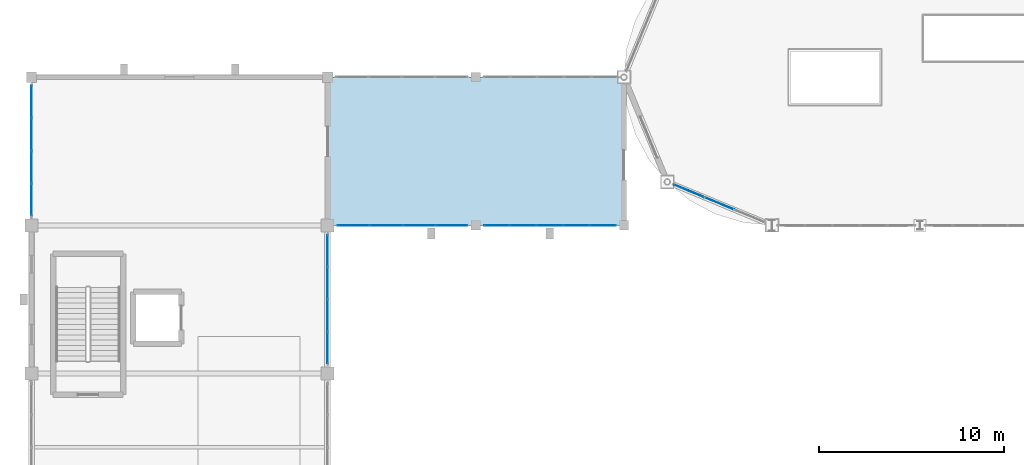
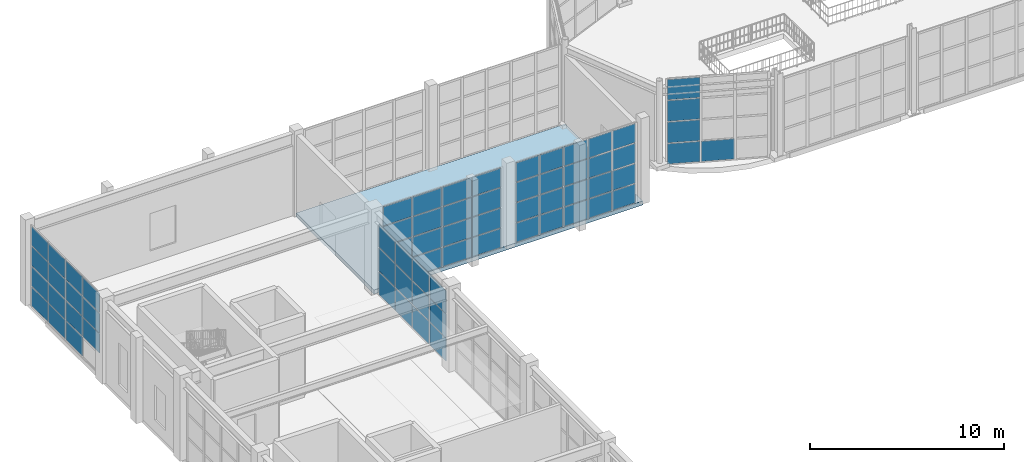
# One storey, part 48 of 82: 68 plates, 1 slab, 5 elements without a shape of their own.
"""IFC4 building model written with IfcOpenShell, lengths in metres."""

from ifc_helpers import new_model, si_unit, direction, frame, origin, origin_2d, place, context, subcontext, project, spatial, polyline, rectangle, outline, extrude, material, layer, layer_set, type_object, element, aggregate, save


model = new_model("IFC4")

# Units and contexts
model_context = context("Model", 3, precision=1e-05, world=origin(), true_north=direction((0.0, 1.0)))
body_context = subcontext(model_context, "Body", "Model", "MODEL_VIEW")
ifc_project = project(units=[si_unit("LENGTHUNIT", "METRE"), si_unit("AREAUNIT", "SQUARE_METRE"), si_unit("VOLUMEUNIT", "CUBIC_METRE"), si_unit("PLANEANGLEUNIT", "RADIAN"), si_unit("MASSUNIT", "GRAM", prefix="KILO")], contexts=[model_context])

# Site, building, storey
site_placement = place(None, origin())
site = spatial("IfcSite", under=ifc_project, at=site_placement, CompositionType="ELEMENT")
building_placement = place(site_placement, origin())
building = spatial("IfcBuilding", under=site, at=building_placement, Name="Serraluz Foothill Cableway Terminal", CompositionType="ELEMENT")
storey_placement = place(building_placement, frame((0.0, 0.0, 9.60009765625)))
storey = spatial("IfcBuildingStorey", under=building, at=storey_placement, Name="L02", CompositionType="ELEMENT", Elevation=9.60009765625)

# Curtain wall, plates
ifc_material_1 = material(Name="Architectural bronze alloy C28000", Category="aluminium")
curtain_wall_type_1 = type_object("IfcCurtainWallType", Name="TYP-CW-480X420", PredefinedType="NOTDEFINED", material=ifc_material_1)
curtain_wall_1_placement = place(storey_placement, origin())
curtain_wall_1 = element("IfcCurtainWall", 1, at=curtain_wall_1_placement, inside=storey, type_object=curtain_wall_type_1, Name="Ribbed Glazed Curtain Wall CW-V5E-L02-48", PredefinedType="NOTDEFINED")
ifc_material_2 = material(Name="Translucent ribbed laminated channel glass", Category="glass")
ifc_layer_1 = layer(ifc_material_2, 0.028076171875, Name="Translucent ribbed laminated channel glass", Category="glass")
ifc_layer_set_1 = layer_set([ifc_layer_1], Name="Translucent ribbed laminated channel glass")
plate_type_1 = type_object("IfcPlateType", Name="TYP-CW-PNL-28", PredefinedType="CURTAIN_PANEL", material=ifc_layer_set_1)
plate_1_placement = place(storey_placement, frame((16.0, 54.617431640625, 0.059814453125), z_axis=(0.0, 0.0, 1.0), x_axis=(0.0, -1.0, 0.0)))
plate_1 = element("IfcPlate", 2, at=plate_1_placement, type_object=plate_type_1, Name="CW-15 panel 1.1", PredefinedType="CURTAIN_PANEL", context=body_context, shape_type="SweptSolid", body=[
    extrude(rectangle(XDim=1.6650390625, YDim=0.028076171875, at=origin_2d()), origin(), (0.0, 0.0, 1.0), 1.42138671875),
])
plate_2_placement = place(storey_placement, frame((16.0, 54.617431640625, 1.541015625), z_axis=(0.0, 0.0, 1.0), x_axis=(0.0, -1.0, 0.0)))
plate_2 = element("IfcPlate", 3, at=plate_2_placement, type_object=plate_type_1, Name="CW-15 panel 1.2", PredefinedType="CURTAIN_PANEL", context=body_context, shape_type="SweptSolid", body=[
    extrude(rectangle(XDim=1.6650390625, YDim=0.028076171875, at=origin_2d()), origin(), (0.0, 0.0, 1.0), 1.451416015625),
])
plate_3_placement = place(storey_placement, frame((16.0, 54.617431640625, 3.052490234375), z_axis=(0.0, 0.0, 1.0), x_axis=(0.0, -1.0, 0.0)))
plate_3 = element("IfcPlate", 4, at=plate_3_placement, type_object=plate_type_1, Name="CW-15 panel 1.3", PredefinedType="CURTAIN_PANEL", context=body_context, shape_type="SweptSolid", body=[
    extrude(rectangle(XDim=1.6650390625, YDim=0.028076171875, at=origin_2d()), origin(), (0.0, 0.0, 1.0), 1.42138671875),
])
plate_4_placement = place(storey_placement, frame((16.0, 52.87744140625, 0.059814453125), z_axis=(0.0, 0.0, 1.0), x_axis=(0.0, -1.0, 0.0)))
plate_4 = element("IfcPlate", 5, at=plate_4_placement, type_object=plate_type_1, Name="CW-15 panel 2.1", PredefinedType="CURTAIN_PANEL", context=body_context, shape_type="SweptSolid", body=[
    extrude(rectangle(XDim=1.695068359375, YDim=0.028076171875, at=origin_2d()), origin(), (0.0, 0.0, 1.0), 1.42138671875),
])
plate_5_placement = place(storey_placement, frame((16.0, 52.87744140625, 1.541015625), z_axis=(0.0, 0.0, 1.0), x_axis=(0.0, -1.0, 0.0)))
plate_5 = element("IfcPlate", 6, at=plate_5_placement, type_object=plate_type_1, Name="CW-15 panel 2.2", PredefinedType="CURTAIN_PANEL", context=body_context, shape_type="SweptSolid", body=[
    extrude(rectangle(XDim=1.695068359375, YDim=0.028076171875, at=origin_2d()), origin(), (0.0, 0.0, 1.0), 1.451416015625),
])
plate_6_placement = place(storey_placement, frame((16.0, 52.87744140625, 3.052490234375), z_axis=(0.0, 0.0, 1.0), x_axis=(0.0, -1.0, 0.0)))
plate_6 = element("IfcPlate", 7, at=plate_6_placement, type_object=plate_type_1, Name="CW-15 panel 2.3", PredefinedType="CURTAIN_PANEL", context=body_context, shape_type="SweptSolid", body=[
    extrude(rectangle(XDim=1.695068359375, YDim=0.028076171875, at=origin_2d()), origin(), (0.0, 0.0, 1.0), 1.42138671875),
])
plate_7_placement = place(storey_placement, frame((16.0, 51.12255859375, 0.059814453125), z_axis=(0.0, 0.0, 1.0), x_axis=(0.0, -1.0, 0.0)))
plate_7 = element("IfcPlate", 8, at=plate_7_placement, type_object=plate_type_1, Name="CW-15 panel 3.1", PredefinedType="CURTAIN_PANEL", context=body_context, shape_type="SweptSolid", body=[
    extrude(rectangle(XDim=1.695068359375, YDim=0.028076171875, at=origin_2d()), origin(), (0.0, 0.0, 1.0), 1.42138671875),
])
plate_8_placement = place(storey_placement, frame((16.0, 51.12255859375, 1.541015625), z_axis=(0.0, 0.0, 1.0), x_axis=(0.0, -1.0, 0.0)))
plate_8 = element("IfcPlate", 9, at=plate_8_placement, type_object=plate_type_1, Name="CW-15 panel 3.2", PredefinedType="CURTAIN_PANEL", context=body_context, shape_type="SweptSolid", body=[
    extrude(rectangle(XDim=1.695068359375, YDim=0.028076171875, at=origin_2d()), origin(), (0.0, 0.0, 1.0), 1.451416015625),
])
plate_9_placement = place(storey_placement, frame((16.0, 51.12255859375, 3.052490234375), z_axis=(0.0, 0.0, 1.0), x_axis=(0.0, -1.0, 0.0)))
plate_9 = element("IfcPlate", 10, at=plate_9_placement, type_object=plate_type_1, Name="CW-15 panel 3.3", PredefinedType="CURTAIN_PANEL", context=body_context, shape_type="SweptSolid", body=[
    extrude(rectangle(XDim=1.695068359375, YDim=0.028076171875, at=origin_2d()), origin(), (0.0, 0.0, 1.0), 1.42138671875),
])
plate_10_placement = place(storey_placement, frame((16.0, 49.382568359375, 0.059814453125), z_axis=(0.0, 0.0, 1.0), x_axis=(0.0, -1.0, 0.0)))
plate_10 = element("IfcPlate", 11, at=plate_10_placement, type_object=plate_type_1, Name="CW-15 panel 4.1", PredefinedType="CURTAIN_PANEL", context=body_context, shape_type="SweptSolid", body=[
    extrude(rectangle(XDim=1.6650390625, YDim=0.028076171875, at=origin_2d()), origin(), (0.0, 0.0, 1.0), 1.42138671875),
])
plate_11_placement = place(storey_placement, frame((16.0, 49.382568359375, 1.541015625), z_axis=(0.0, 0.0, 1.0), x_axis=(0.0, -1.0, 0.0)))
plate_11 = element("IfcPlate", 12, at=plate_11_placement, type_object=plate_type_1, Name="CW-15 panel 4.2", PredefinedType="CURTAIN_PANEL", context=body_context, shape_type="SweptSolid", body=[
    extrude(rectangle(XDim=1.6650390625, YDim=0.028076171875, at=origin_2d()), origin(), (0.0, 0.0, 1.0), 1.451416015625),
])
plate_12_placement = place(storey_placement, frame((16.0, 49.382568359375, 3.052490234375), z_axis=(0.0, 0.0, 1.0), x_axis=(0.0, -1.0, 0.0)))
plate_12 = element("IfcPlate", 13, at=plate_12_placement, type_object=plate_type_1, Name="CW-15 panel 4.3", PredefinedType="CURTAIN_PANEL", context=body_context, shape_type="SweptSolid", body=[
    extrude(rectangle(XDim=1.6650390625, YDim=0.028076171875, at=origin_2d()), origin(), (0.0, 0.0, 1.0), 1.42138671875),
])
aggregate(curtain_wall_1, [plate_1, plate_2, plate_3, plate_4, plate_5, plate_6, plate_7, plate_8, plate_9, plate_10, plate_11, plate_12])

curtain_wall_type_2 = type_object("IfcCurtainWallType", Name="TYP-CW-540X420", PredefinedType="NOTDEFINED", material=ifc_material_1)
curtain_wall_2_placement = place(storey_placement, origin())
curtain_wall_2 = element("IfcCurtainWall", 14, at=curtain_wall_2_placement, inside=storey, type_object=curtain_wall_type_2, Name="Ribbed Glazed Curtain Wall CW-V5W-L02-56", PredefinedType="NOTDEFINED")
plate_13_placement = place(storey_placement, frame((0.0, 57.391845703125, 1.3046875), z_axis=(0.0, 0.0, 1.0), x_axis=(0.0, 1.0, 0.0)))
plate_13 = element("IfcPlate", 15, at=plate_13_placement, type_object=plate_type_1, Name="CW-10 panel 1.2", PredefinedType="CURTAIN_PANEL", context=body_context, shape_type="SweptSolid", body=[
    extrude(rectangle(XDim=1.683837890625, YDim=0.028076171875, at=origin_2d()), origin(), (0.0, 0.0, 1.0), 1.215087890625),
])
plate_14_placement = place(storey_placement, frame((0.0, 57.391845703125, 2.580078125), z_axis=(0.0, 0.0, 1.0), x_axis=(0.0, 1.0, 0.0)))
plate_14 = element("IfcPlate", 16, at=plate_14_placement, type_object=plate_type_1, Name="CW-10 panel 1.3", PredefinedType="CURTAIN_PANEL", context=body_context, shape_type="SweptSolid", body=[
    extrude(rectangle(XDim=1.683837890625, YDim=0.028076171875, at=origin_2d()), origin(), (0.0, 0.0, 1.0), 1.215087890625),
])
plate_15_placement = place(storey_placement, frame((0.0, 57.391845703125, 3.85498046875), z_axis=(0.0, 0.0, 1.0), x_axis=(0.0, 1.0, 0.0)))
plate_15 = element("IfcPlate", 17, at=plate_15_placement, type_object=plate_type_1, Name="CW-10 panel 1.4", PredefinedType="CURTAIN_PANEL", context=body_context, shape_type="SweptSolid", body=[
    extrude(rectangle(XDim=1.683837890625, YDim=0.028076171875, at=origin_2d()), origin(), (0.0, 0.0, 1.0), 1.18505859375),
])
plate_16_placement = place(storey_placement, frame((0.0, 59.150634765625, 0.059814453125), z_axis=(0.0, 0.0, 1.0), x_axis=(0.0, 1.0, 0.0)))
plate_16 = element("IfcPlate", 18, at=plate_16_placement, type_object=plate_type_1, Name="CW-10 panel 2.1", PredefinedType="CURTAIN_PANEL", context=body_context, shape_type="SweptSolid", body=[
    extrude(rectangle(XDim=1.7138671875, YDim=0.028076171875, at=origin_2d()), origin(), (0.0, 0.0, 1.0), 1.18505859375),
])
plate_17_placement = place(storey_placement, frame((0.0, 59.150634765625, 1.3046875), z_axis=(0.0, 0.0, 1.0), x_axis=(0.0, 1.0, 0.0)))
plate_17 = element("IfcPlate", 19, at=plate_17_placement, type_object=plate_type_1, Name="CW-10 panel 2.2", PredefinedType="CURTAIN_PANEL", context=body_context, shape_type="SweptSolid", body=[
    extrude(rectangle(XDim=1.7138671875, YDim=0.028076171875, at=origin_2d()), origin(), (0.0, 0.0, 1.0), 1.215087890625),
])
plate_18_placement = place(storey_placement, frame((0.0, 59.150634765625, 2.580078125), z_axis=(0.0, 0.0, 1.0), x_axis=(0.0, 1.0, 0.0)))
plate_18 = element("IfcPlate", 20, at=plate_18_placement, type_object=plate_type_1, Name="CW-10 panel 2.3", PredefinedType="CURTAIN_PANEL", context=body_context, shape_type="SweptSolid", body=[
    extrude(rectangle(XDim=1.7138671875, YDim=0.028076171875, at=origin_2d()), origin(), (0.0, 0.0, 1.0), 1.215087890625),
])
plate_19_placement = place(storey_placement, frame((0.0, 59.150634765625, 3.85498046875), z_axis=(0.0, 0.0, 1.0), x_axis=(0.0, 1.0, 0.0)))
plate_19 = element("IfcPlate", 21, at=plate_19_placement, type_object=plate_type_1, Name="CW-10 panel 2.4", PredefinedType="CURTAIN_PANEL", context=body_context, shape_type="SweptSolid", body=[
    extrude(rectangle(XDim=1.7138671875, YDim=0.028076171875, at=origin_2d()), origin(), (0.0, 0.0, 1.0), 1.18505859375),
])
plate_20_placement = place(storey_placement, frame((0.0, 60.92431640625, 0.059814453125), z_axis=(0.0, 0.0, 1.0), x_axis=(0.0, 1.0, 0.0)))
plate_20 = element("IfcPlate", 22, at=plate_20_placement, type_object=plate_type_1, Name="CW-10 panel 3.1", PredefinedType="CURTAIN_PANEL", context=body_context, shape_type="SweptSolid", body=[
    extrude(rectangle(XDim=1.7138671875, YDim=0.028076171875, at=origin_2d()), origin(), (0.0, 0.0, 1.0), 1.18505859375),
])
plate_21_placement = place(storey_placement, frame((0.0, 60.92431640625, 1.3046875), z_axis=(0.0, 0.0, 1.0), x_axis=(0.0, 1.0, 0.0)))
plate_21 = element("IfcPlate", 23, at=plate_21_placement, type_object=plate_type_1, Name="CW-10 panel 3.2", PredefinedType="CURTAIN_PANEL", context=body_context, shape_type="SweptSolid", body=[
    extrude(rectangle(XDim=1.7138671875, YDim=0.028076171875, at=origin_2d()), origin(), (0.0, 0.0, 1.0), 1.215087890625),
])
plate_22_placement = place(storey_placement, frame((0.0, 60.92431640625, 2.580078125), z_axis=(0.0, 0.0, 1.0), x_axis=(0.0, 1.0, 0.0)))
plate_22 = element("IfcPlate", 24, at=plate_22_placement, type_object=plate_type_1, Name="CW-10 panel 3.3", PredefinedType="CURTAIN_PANEL", context=body_context, shape_type="SweptSolid", body=[
    extrude(rectangle(XDim=1.7138671875, YDim=0.028076171875, at=origin_2d()), origin(), (0.0, 0.0, 1.0), 1.215087890625),
])
plate_23_placement = place(storey_placement, frame((0.0, 60.92431640625, 3.85498046875), z_axis=(0.0, 0.0, 1.0), x_axis=(0.0, 1.0, 0.0)))
plate_23 = element("IfcPlate", 25, at=plate_23_placement, type_object=plate_type_1, Name="CW-10 panel 3.4", PredefinedType="CURTAIN_PANEL", context=body_context, shape_type="SweptSolid", body=[
    extrude(rectangle(XDim=1.7138671875, YDim=0.028076171875, at=origin_2d()), origin(), (0.0, 0.0, 1.0), 1.18505859375),
])
plate_24_placement = place(storey_placement, frame((0.0, 62.68310546875, 0.059814453125), z_axis=(0.0, 0.0, 1.0), x_axis=(0.0, 1.0, 0.0)))
plate_24 = element("IfcPlate", 26, at=plate_24_placement, type_object=plate_type_1, Name="CW-10 panel 4.1", PredefinedType="CURTAIN_PANEL", context=body_context, shape_type="SweptSolid", body=[
    extrude(rectangle(XDim=1.683837890625, YDim=0.028076171875, at=origin_2d()), origin(), (0.0, 0.0, 1.0), 1.18505859375),
])
plate_25_placement = place(storey_placement, frame((0.0, 62.68310546875, 1.3046875), z_axis=(0.0, 0.0, 1.0), x_axis=(0.0, 1.0, 0.0)))
plate_25 = element("IfcPlate", 27, at=plate_25_placement, type_object=plate_type_1, Name="CW-10 panel 4.2", PredefinedType="CURTAIN_PANEL", context=body_context, shape_type="SweptSolid", body=[
    extrude(rectangle(XDim=1.683837890625, YDim=0.028076171875, at=origin_2d()), origin(), (0.0, 0.0, 1.0), 1.215087890625),
])
plate_26_placement = place(storey_placement, frame((0.0, 62.68310546875, 2.580078125), z_axis=(0.0, 0.0, 1.0), x_axis=(0.0, 1.0, 0.0)))
plate_26 = element("IfcPlate", 28, at=plate_26_placement, type_object=plate_type_1, Name="CW-10 panel 4.3", PredefinedType="CURTAIN_PANEL", context=body_context, shape_type="SweptSolid", body=[
    extrude(rectangle(XDim=1.683837890625, YDim=0.028076171875, at=origin_2d()), origin(), (0.0, 0.0, 1.0), 1.215087890625),
])
plate_27_placement = place(storey_placement, frame((0.0, 62.68310546875, 3.85498046875), z_axis=(0.0, 0.0, 1.0), x_axis=(0.0, 1.0, 0.0)))
plate_27 = element("IfcPlate", 29, at=plate_27_placement, type_object=plate_type_1, Name="CW-10 panel 4.4", PredefinedType="CURTAIN_PANEL", context=body_context, shape_type="SweptSolid", body=[
    extrude(rectangle(XDim=1.683837890625, YDim=0.028076171875, at=origin_2d()), origin(), (0.0, 0.0, 1.0), 1.18505859375),
])
aggregate(curtain_wall_2, [plate_13, plate_14, plate_15, plate_16, plate_17, plate_18, plate_19, plate_20, plate_21, plate_22, plate_23, plate_24, plate_25, plate_26, plate_27])

curtain_wall_type_3 = type_object("IfcCurtainWallType", Name="TYP-CW-710X420", PredefinedType="NOTDEFINED", material=ifc_material_1)
curtain_wall_3_placement = place(storey_placement, origin())
curtain_wall_3 = element("IfcCurtainWall", 30, at=curtain_wall_3_placement, inside=storey, type_object=curtain_wall_type_3, Name="Ribbed Glazed Curtain Wall CW-WLS-L02-16", PredefinedType="NOTDEFINED")
plate_28_placement = place(storey_placement, frame((22.705078125, 56.0, 0.059814453125), z_axis=(0.0, 0.0, 1.0), x_axis=(-1.0, 0.0, 0.0)))
plate_28 = element("IfcPlate", 31, at=plate_28_placement, type_object=plate_type_1, Name="CW-01 panel 1.1", PredefinedType="CURTAIN_PANEL", context=body_context, shape_type="SweptSolid", body=[
    extrude(rectangle(XDim=1.68994140625, YDim=0.028076171875, at=origin_2d()), origin(), (0.0, 0.0, 1.0), 1.18505859375),
])
plate_29_placement = place(storey_placement, frame((22.705078125, 56.0, 1.3046875), z_axis=(0.0, 0.0, 1.0), x_axis=(-1.0, 0.0, 0.0)))
plate_29 = element("IfcPlate", 32, at=plate_29_placement, type_object=plate_type_1, Name="CW-01 panel 1.2", PredefinedType="CURTAIN_PANEL", context=body_context, shape_type="SweptSolid", body=[
    extrude(rectangle(XDim=1.68994140625, YDim=0.028076171875, at=origin_2d()), origin(), (0.0, 0.0, 1.0), 1.215087890625),
])
plate_30_placement = place(storey_placement, frame((22.705078125, 56.0, 2.580078125), z_axis=(0.0, 0.0, 1.0), x_axis=(-1.0, 0.0, 0.0)))
plate_30 = element("IfcPlate", 33, at=plate_30_placement, type_object=plate_type_1, Name="CW-01 panel 1.3", PredefinedType="CURTAIN_PANEL", context=body_context, shape_type="SweptSolid", body=[
    extrude(rectangle(XDim=1.68994140625, YDim=0.028076171875, at=origin_2d()), origin(), (0.0, 0.0, 1.0), 1.215087890625),
])
plate_31_placement = place(storey_placement, frame((22.705078125, 56.0, 3.85498046875), z_axis=(0.0, 0.0, 1.0), x_axis=(-1.0, 0.0, 0.0)))
plate_31 = element("IfcPlate", 34, at=plate_31_placement, type_object=plate_type_1, Name="CW-01 panel 1.4", PredefinedType="CURTAIN_PANEL", context=body_context, shape_type="SweptSolid", body=[
    extrude(rectangle(XDim=1.68994140625, YDim=0.028076171875, at=origin_2d()), origin(), (0.0, 0.0, 1.0), 1.18505859375),
])
plate_32_placement = place(storey_placement, frame((20.93994140625, 56.0, 0.059814453125), z_axis=(0.0, 0.0, 1.0), x_axis=(-1.0, 0.0, 0.0)))
plate_32 = element("IfcPlate", 35, at=plate_32_placement, type_object=plate_type_1, Name="CW-01 panel 2.1", PredefinedType="CURTAIN_PANEL", context=body_context, shape_type="SweptSolid", body=[
    extrude(rectangle(XDim=1.719970703125, YDim=0.028076171875, at=origin_2d()), origin(), (0.0, 0.0, 1.0), 1.18505859375),
])
plate_33_placement = place(storey_placement, frame((20.93994140625, 56.0, 1.3046875), z_axis=(0.0, 0.0, 1.0), x_axis=(-1.0, 0.0, 0.0)))
plate_33 = element("IfcPlate", 36, at=plate_33_placement, type_object=plate_type_1, Name="CW-01 panel 2.2", PredefinedType="CURTAIN_PANEL", context=body_context, shape_type="SweptSolid", body=[
    extrude(rectangle(XDim=1.719970703125, YDim=0.028076171875, at=origin_2d()), origin(), (0.0, 0.0, 1.0), 1.215087890625),
])
plate_34_placement = place(storey_placement, frame((20.93994140625, 56.0, 2.580078125), z_axis=(0.0, 0.0, 1.0), x_axis=(-1.0, 0.0, 0.0)))
plate_34 = element("IfcPlate", 37, at=plate_34_placement, type_object=plate_type_1, Name="CW-01 panel 2.3", PredefinedType="CURTAIN_PANEL", context=body_context, shape_type="SweptSolid", body=[
    extrude(rectangle(XDim=1.719970703125, YDim=0.028076171875, at=origin_2d()), origin(), (0.0, 0.0, 1.0), 1.215087890625),
])
plate_35_placement = place(storey_placement, frame((20.93994140625, 56.0, 3.85498046875), z_axis=(0.0, 0.0, 1.0), x_axis=(-1.0, 0.0, 0.0)))
plate_35 = element("IfcPlate", 38, at=plate_35_placement, type_object=plate_type_1, Name="CW-01 panel 2.4", PredefinedType="CURTAIN_PANEL", context=body_context, shape_type="SweptSolid", body=[
    extrude(rectangle(XDim=1.719970703125, YDim=0.028076171875, at=origin_2d()), origin(), (0.0, 0.0, 1.0), 1.18505859375),
])
plate_36_placement = place(storey_placement, frame((19.159912109375, 56.0, 0.059814453125), z_axis=(0.0, 0.0, 1.0), x_axis=(-1.0, 0.0, 0.0)))
plate_36 = element("IfcPlate", 39, at=plate_36_placement, type_object=plate_type_1, Name="CW-01 panel 3.1", PredefinedType="CURTAIN_PANEL", context=body_context, shape_type="SweptSolid", body=[
    extrude(rectangle(XDim=1.719970703125, YDim=0.028076171875, at=origin_2d()), origin(), (0.0, 0.0, 1.0), 1.18505859375),
])
plate_37_placement = place(storey_placement, frame((19.159912109375, 56.0, 1.3046875), z_axis=(0.0, 0.0, 1.0), x_axis=(-1.0, 0.0, 0.0)))
plate_37 = element("IfcPlate", 40, at=plate_37_placement, type_object=plate_type_1, Name="CW-01 panel 3.2", PredefinedType="CURTAIN_PANEL", context=body_context, shape_type="SweptSolid", body=[
    extrude(rectangle(XDim=1.719970703125, YDim=0.028076171875, at=origin_2d()), origin(), (0.0, 0.0, 1.0), 1.215087890625),
])
plate_38_placement = place(storey_placement, frame((19.159912109375, 56.0, 2.580078125), z_axis=(0.0, 0.0, 1.0), x_axis=(-1.0, 0.0, 0.0)))
plate_38 = element("IfcPlate", 41, at=plate_38_placement, type_object=plate_type_1, Name="CW-01 panel 3.3", PredefinedType="CURTAIN_PANEL", context=body_context, shape_type="SweptSolid", body=[
    extrude(rectangle(XDim=1.719970703125, YDim=0.028076171875, at=origin_2d()), origin(), (0.0, 0.0, 1.0), 1.215087890625),
])
plate_39_placement = place(storey_placement, frame((19.159912109375, 56.0, 3.85498046875), z_axis=(0.0, 0.0, 1.0), x_axis=(-1.0, 0.0, 0.0)))
plate_39 = element("IfcPlate", 42, at=plate_39_placement, type_object=plate_type_1, Name="CW-01 panel 3.4", PredefinedType="CURTAIN_PANEL", context=body_context, shape_type="SweptSolid", body=[
    extrude(rectangle(XDim=1.719970703125, YDim=0.028076171875, at=origin_2d()), origin(), (0.0, 0.0, 1.0), 1.18505859375),
])
plate_40_placement = place(storey_placement, frame((17.39501953125, 56.0, 0.059814453125), z_axis=(0.0, 0.0, 1.0), x_axis=(-1.0, 0.0, 0.0)))
plate_40 = element("IfcPlate", 43, at=plate_40_placement, type_object=plate_type_1, Name="CW-01 panel 4.1", PredefinedType="CURTAIN_PANEL", context=body_context, shape_type="SweptSolid", body=[
    extrude(rectangle(XDim=1.68994140625, YDim=0.028076171875, at=origin_2d()), origin(), (0.0, 0.0, 1.0), 1.18505859375),
])
plate_41_placement = place(storey_placement, frame((17.39501953125, 56.0, 1.3046875), z_axis=(0.0, 0.0, 1.0), x_axis=(-1.0, 0.0, 0.0)))
plate_41 = element("IfcPlate", 44, at=plate_41_placement, type_object=plate_type_1, Name="CW-01 panel 4.2", PredefinedType="CURTAIN_PANEL", context=body_context, shape_type="SweptSolid", body=[
    extrude(rectangle(XDim=1.68994140625, YDim=0.028076171875, at=origin_2d()), origin(), (0.0, 0.0, 1.0), 1.215087890625),
])
plate_42_placement = place(storey_placement, frame((17.39501953125, 56.0, 2.580078125), z_axis=(0.0, 0.0, 1.0), x_axis=(-1.0, 0.0, 0.0)))
plate_42 = element("IfcPlate", 45, at=plate_42_placement, type_object=plate_type_1, Name="CW-01 panel 4.3", PredefinedType="CURTAIN_PANEL", context=body_context, shape_type="SweptSolid", body=[
    extrude(rectangle(XDim=1.68994140625, YDim=0.028076171875, at=origin_2d()), origin(), (0.0, 0.0, 1.0), 1.215087890625),
])
plate_43_placement = place(storey_placement, frame((17.39501953125, 56.0, 3.85498046875), z_axis=(0.0, 0.0, 1.0), x_axis=(-1.0, 0.0, 0.0)))
plate_43 = element("IfcPlate", 46, at=plate_43_placement, type_object=plate_type_1, Name="CW-01 panel 4.4", PredefinedType="CURTAIN_PANEL", context=body_context, shape_type="SweptSolid", body=[
    extrude(rectangle(XDim=1.68994140625, YDim=0.028076171875, at=origin_2d()), origin(), (0.0, 0.0, 1.0), 1.18505859375),
])
aggregate(curtain_wall_3, [plate_28, plate_29, plate_30, plate_31, plate_32, plate_33, plate_34, plate_35, plate_36, plate_37, plate_38, plate_39, plate_40, plate_41, plate_42, plate_43])

curtain_wall_4_placement = place(storey_placement, origin())
curtain_wall_4 = element("IfcCurtainWall", 47, at=curtain_wall_4_placement, inside=storey, type_object=curtain_wall_type_3, Name="Ribbed Glazed Curtain Wall CW-WLS-L02-24", PredefinedType="NOTDEFINED")
plate_44_placement = place(storey_placement, frame((30.873046875, 56.0, 0.059814453125), z_axis=(0.0, 0.0, 1.0), x_axis=(-1.0, 0.0, 0.0)))
plate_44 = element("IfcPlate", 48, at=plate_44_placement, type_object=plate_type_1, Name="CW-01 panel 1.1", PredefinedType="CURTAIN_PANEL", context=body_context, shape_type="SweptSolid", body=[
    extrude(rectangle(XDim=1.35400390625, YDim=0.028076171875, at=origin_2d()), origin(), (0.0, 0.0, 1.0), 1.18505859375),
])
plate_45_placement = place(storey_placement, frame((30.873046875, 56.0, 1.3046875), z_axis=(0.0, 0.0, 1.0), x_axis=(-1.0, 0.0, 0.0)))
plate_45 = element("IfcPlate", 49, at=plate_45_placement, type_object=plate_type_1, Name="CW-01 panel 1.2", PredefinedType="CURTAIN_PANEL", context=body_context, shape_type="SweptSolid", body=[
    extrude(rectangle(XDim=1.35400390625, YDim=0.028076171875, at=origin_2d()), origin(), (0.0, 0.0, 1.0), 1.215087890625),
])
plate_46_placement = place(storey_placement, frame((30.873046875, 56.0, 2.580078125), z_axis=(0.0, 0.0, 1.0), x_axis=(-1.0, 0.0, 0.0)))
plate_46 = element("IfcPlate", 50, at=plate_46_placement, type_object=plate_type_1, Name="CW-01 panel 1.3", PredefinedType="CURTAIN_PANEL", context=body_context, shape_type="SweptSolid", body=[
    extrude(rectangle(XDim=1.35400390625, YDim=0.028076171875, at=origin_2d()), origin(), (0.0, 0.0, 1.0), 1.215087890625),
])
plate_47_placement = place(storey_placement, frame((30.873046875, 56.0, 3.85498046875), z_axis=(0.0, 0.0, 1.0), x_axis=(-1.0, 0.0, 0.0)))
plate_47 = element("IfcPlate", 51, at=plate_47_placement, type_object=plate_type_1, Name="CW-01 panel 1.4", PredefinedType="CURTAIN_PANEL", context=body_context, shape_type="SweptSolid", body=[
    extrude(rectangle(XDim=1.35400390625, YDim=0.028076171875, at=origin_2d()), origin(), (0.0, 0.0, 1.0), 1.18505859375),
])
plate_48_placement = place(storey_placement, frame((29.444091796875, 56.0, 0.059814453125), z_axis=(0.0, 0.0, 1.0), x_axis=(-1.0, 0.0, 0.0)))
plate_48 = element("IfcPlate", 52, at=plate_48_placement, type_object=plate_type_1, Name="CW-01 panel 2.1", PredefinedType="CURTAIN_PANEL", context=body_context, shape_type="SweptSolid", body=[
    extrude(rectangle(XDim=1.384033203125, YDim=0.028076171875, at=origin_2d()), origin(), (0.0, 0.0, 1.0), 1.18505859375),
])
plate_49_placement = place(storey_placement, frame((29.444091796875, 56.0, 1.3046875), z_axis=(0.0, 0.0, 1.0), x_axis=(-1.0, 0.0, 0.0)))
plate_49 = element("IfcPlate", 53, at=plate_49_placement, type_object=plate_type_1, Name="CW-01 panel 2.2", PredefinedType="CURTAIN_PANEL", context=body_context, shape_type="SweptSolid", body=[
    extrude(rectangle(XDim=1.384033203125, YDim=0.028076171875, at=origin_2d()), origin(), (0.0, 0.0, 1.0), 1.215087890625),
])
plate_50_placement = place(storey_placement, frame((29.444091796875, 56.0, 2.580078125), z_axis=(0.0, 0.0, 1.0), x_axis=(-1.0, 0.0, 0.0)))
plate_50 = element("IfcPlate", 54, at=plate_50_placement, type_object=plate_type_1, Name="CW-01 panel 2.3", PredefinedType="CURTAIN_PANEL", context=body_context, shape_type="SweptSolid", body=[
    extrude(rectangle(XDim=1.384033203125, YDim=0.028076171875, at=origin_2d()), origin(), (0.0, 0.0, 1.0), 1.215087890625),
])
plate_51_placement = place(storey_placement, frame((29.444091796875, 56.0, 3.85498046875), z_axis=(0.0, 0.0, 1.0), x_axis=(-1.0, 0.0, 0.0)))
plate_51 = element("IfcPlate", 55, at=plate_51_placement, type_object=plate_type_1, Name="CW-01 panel 2.4", PredefinedType="CURTAIN_PANEL", context=body_context, shape_type="SweptSolid", body=[
    extrude(rectangle(XDim=1.384033203125, YDim=0.028076171875, at=origin_2d()), origin(), (0.0, 0.0, 1.0), 1.18505859375),
])
plate_52_placement = place(storey_placement, frame((28.0, 56.0, 0.059814453125), z_axis=(0.0, 0.0, 1.0), x_axis=(-1.0, 0.0, 0.0)))
plate_52 = element("IfcPlate", 56, at=plate_52_placement, type_object=plate_type_1, Name="CW-01 panel 3.1", PredefinedType="CURTAIN_PANEL", context=body_context, shape_type="SweptSolid", body=[
    extrude(rectangle(XDim=1.384033203125, YDim=0.028076171875, at=origin_2d()), origin(), (0.0, 0.0, 1.0), 1.18505859375),
])
plate_53_placement = place(storey_placement, frame((28.0, 56.0, 1.3046875), z_axis=(0.0, 0.0, 1.0), x_axis=(-1.0, 0.0, 0.0)))
plate_53 = element("IfcPlate", 57, at=plate_53_placement, type_object=plate_type_1, Name="CW-01 panel 3.2", PredefinedType="CURTAIN_PANEL", context=body_context, shape_type="SweptSolid", body=[
    extrude(rectangle(XDim=1.384033203125, YDim=0.028076171875, at=origin_2d()), origin(), (0.0, 0.0, 1.0), 1.215087890625),
])
plate_54_placement = place(storey_placement, frame((28.0, 56.0, 2.580078125), z_axis=(0.0, 0.0, 1.0), x_axis=(-1.0, 0.0, 0.0)))
plate_54 = element("IfcPlate", 58, at=plate_54_placement, type_object=plate_type_1, Name="CW-01 panel 3.3", PredefinedType="CURTAIN_PANEL", context=body_context, shape_type="SweptSolid", body=[
    extrude(rectangle(XDim=1.384033203125, YDim=0.028076171875, at=origin_2d()), origin(), (0.0, 0.0, 1.0), 1.215087890625),
])
plate_55_placement = place(storey_placement, frame((28.0, 56.0, 3.85498046875), z_axis=(0.0, 0.0, 1.0), x_axis=(-1.0, 0.0, 0.0)))
plate_55 = element("IfcPlate", 59, at=plate_55_placement, type_object=plate_type_1, Name="CW-01 panel 3.4", PredefinedType="CURTAIN_PANEL", context=body_context, shape_type="SweptSolid", body=[
    extrude(rectangle(XDim=1.384033203125, YDim=0.028076171875, at=origin_2d()), origin(), (0.0, 0.0, 1.0), 1.18505859375),
])
plate_56_placement = place(storey_placement, frame((26.555908203125, 56.0, 0.059814453125), z_axis=(0.0, 0.0, 1.0), x_axis=(-1.0, 0.0, 0.0)))
plate_56 = element("IfcPlate", 60, at=plate_56_placement, type_object=plate_type_1, Name="CW-01 panel 4.1", PredefinedType="CURTAIN_PANEL", context=body_context, shape_type="SweptSolid", body=[
    extrude(rectangle(XDim=1.384033203125, YDim=0.028076171875, at=origin_2d()), origin(), (0.0, 0.0, 1.0), 1.18505859375),
])
plate_57_placement = place(storey_placement, frame((26.555908203125, 56.0, 1.3046875), z_axis=(0.0, 0.0, 1.0), x_axis=(-1.0, 0.0, 0.0)))
plate_57 = element("IfcPlate", 61, at=plate_57_placement, type_object=plate_type_1, Name="CW-01 panel 4.2", PredefinedType="CURTAIN_PANEL", context=body_context, shape_type="SweptSolid", body=[
    extrude(rectangle(XDim=1.384033203125, YDim=0.028076171875, at=origin_2d()), origin(), (0.0, 0.0, 1.0), 1.215087890625),
])
plate_58_placement = place(storey_placement, frame((26.555908203125, 56.0, 2.580078125), z_axis=(0.0, 0.0, 1.0), x_axis=(-1.0, 0.0, 0.0)))
plate_58 = element("IfcPlate", 62, at=plate_58_placement, type_object=plate_type_1, Name="CW-01 panel 4.3", PredefinedType="CURTAIN_PANEL", context=body_context, shape_type="SweptSolid", body=[
    extrude(rectangle(XDim=1.384033203125, YDim=0.028076171875, at=origin_2d()), origin(), (0.0, 0.0, 1.0), 1.215087890625),
])
plate_59_placement = place(storey_placement, frame((26.555908203125, 56.0, 3.85498046875), z_axis=(0.0, 0.0, 1.0), x_axis=(-1.0, 0.0, 0.0)))
plate_59 = element("IfcPlate", 63, at=plate_59_placement, type_object=plate_type_1, Name="CW-01 panel 4.4", PredefinedType="CURTAIN_PANEL", context=body_context, shape_type="SweptSolid", body=[
    extrude(rectangle(XDim=1.384033203125, YDim=0.028076171875, at=origin_2d()), origin(), (0.0, 0.0, 1.0), 1.18505859375),
])
plate_60_placement = place(storey_placement, frame((25.126953125, 56.0, 0.059814453125), z_axis=(0.0, 0.0, 1.0), x_axis=(-1.0, 0.0, 0.0)))
plate_60 = element("IfcPlate", 64, at=plate_60_placement, type_object=plate_type_1, Name="CW-01 panel 5.1", PredefinedType="CURTAIN_PANEL", context=body_context, shape_type="SweptSolid", body=[
    extrude(rectangle(XDim=1.35400390625, YDim=0.028076171875, at=origin_2d()), origin(), (0.0, 0.0, 1.0), 1.18505859375),
])
plate_61_placement = place(storey_placement, frame((25.126953125, 56.0, 1.3046875), z_axis=(0.0, 0.0, 1.0), x_axis=(-1.0, 0.0, 0.0)))
plate_61 = element("IfcPlate", 65, at=plate_61_placement, type_object=plate_type_1, Name="CW-01 panel 5.2", PredefinedType="CURTAIN_PANEL", context=body_context, shape_type="SweptSolid", body=[
    extrude(rectangle(XDim=1.35400390625, YDim=0.028076171875, at=origin_2d()), origin(), (0.0, 0.0, 1.0), 1.215087890625),
])
plate_62_placement = place(storey_placement, frame((25.126953125, 56.0, 2.580078125), z_axis=(0.0, 0.0, 1.0), x_axis=(-1.0, 0.0, 0.0)))
plate_62 = element("IfcPlate", 66, at=plate_62_placement, type_object=plate_type_1, Name="CW-01 panel 5.3", PredefinedType="CURTAIN_PANEL", context=body_context, shape_type="SweptSolid", body=[
    extrude(rectangle(XDim=1.35400390625, YDim=0.028076171875, at=origin_2d()), origin(), (0.0, 0.0, 1.0), 1.215087890625),
])
plate_63_placement = place(storey_placement, frame((25.126953125, 56.0, 3.85498046875), z_axis=(0.0, 0.0, 1.0), x_axis=(-1.0, 0.0, 0.0)))
plate_63 = element("IfcPlate", 67, at=plate_63_placement, type_object=plate_type_1, Name="CW-01 panel 5.4", PredefinedType="CURTAIN_PANEL", context=body_context, shape_type="SweptSolid", body=[
    extrude(rectangle(XDim=1.35400390625, YDim=0.028076171875, at=origin_2d()), origin(), (0.0, 0.0, 1.0), 1.18505859375),
])
aggregate(curtain_wall_4, [plate_44, plate_45, plate_46, plate_47, plate_48, plate_49, plate_50, plate_51, plate_52, plate_53, plate_54, plate_55, plate_56, plate_57, plate_58, plate_59, plate_60, plate_61, plate_62, plate_63])

curtain_wall_type_4 = type_object("IfcCurtainWallType", Name="TYP-CW-480X380", PredefinedType="NOTDEFINED", material=ifc_material_1)
curtain_wall_5_placement = place(storey_placement, origin())
curtain_wall_5 = element("IfcCurtainWall", 68, at=curtain_wall_5_placement, inside=storey, type_object=curtain_wall_type_4, Name="Ribbed Glazed Curtain Wall CW-V1-W-L02-1", PredefinedType="NOTDEFINED")
ifc_material_3 = material(Name="Laminated low-E safety glass", Category="glass")
ifc_layer_2 = layer(ifc_material_3, 0.031982421875, Name="Laminated low-E safety glass", Category="glass")
ifc_layer_set_2 = layer_set([ifc_layer_2], Name="Laminated low-E safety glass")
plate_type_2 = type_object("IfcPlateType", Name="TYP-CW-PNL-32", PredefinedType="CURTAIN_PANEL", material=ifc_layer_set_2)
plate_64_placement = place(storey_placement, frame((37.1455078125, 57.182373046875, 0.054931640625), z_axis=(0.0, 0.0, 1.0), x_axis=(-0.923880260537, 0.382681674752, 0.0)))
plate_64 = element("IfcPlate", 69, at=plate_64_placement, type_object=plate_type_2, Name="CW-14 panel 2.1", PredefinedType="CURTAIN_PANEL", context=body_context, shape_type="SweptSolid", body=[
    extrude(rectangle(XDim=1.73291015625, YDim=0.031982421875, at=origin_2d()), origin(), (0.0, 0.0, 1.0), 1.2724609375),
])
plate_65_placement = place(storey_placement, frame((35.506591796875, 57.861328125, 0.054931640625), z_axis=(0.0, 0.0, 1.0), x_axis=(-0.923880260537, 0.382681674752, 0.0)))
plate_65 = element("IfcPlate", 70, at=plate_65_placement, type_object=plate_type_2, Name="CW-14 panel 3.1", PredefinedType="CURTAIN_PANEL", context=body_context, shape_type="SweptSolid", body=[
    extrude(rectangle(XDim=1.705322265625, YDim=0.031982421875, at=origin_2d()), origin(), (0.0, 0.0, 1.0), 1.2724609375),
])
plate_66_placement = place(storey_placement, frame((35.506591796875, 57.861328125, 1.38232421875), z_axis=(0.0, 0.0, 1.0), x_axis=(-0.923880260537, 0.382681674752, 0.0)))
plate_66 = element("IfcPlate", 71, at=plate_66_placement, type_object=plate_type_2, Name="CW-14 panel 3.2", PredefinedType="CURTAIN_PANEL", context=body_context, shape_type="SweptSolid", body=[
    extrude(rectangle(XDim=1.705322265625, YDim=0.031982421875, at=origin_2d()), origin(), (0.0, 0.0, 1.0), 1.300048828125),
])
plate_67_placement = place(storey_placement, frame((35.506591796875, 57.861328125, 2.7373046875), z_axis=(0.0, 0.0, 1.0), x_axis=(-0.923880260537, 0.382681674752, 0.0)))
plate_67 = element("IfcPlate", 72, at=plate_67_placement, type_object=plate_type_2, Name="CW-14 panel 3.3", PredefinedType="CURTAIN_PANEL", context=body_context, shape_type="SweptSolid", body=[
    extrude(rectangle(XDim=1.705322265625, YDim=0.031982421875, at=origin_2d()), origin(), (0.0, 0.0, 1.0), 1.300048828125),
])
plate_68_placement = place(storey_placement, frame((35.506591796875, 57.861328125, 4.092529296875), z_axis=(0.0, 0.0, 1.0), x_axis=(-0.923880260537, 0.382681674752, 0.0)))
plate_68 = element("IfcPlate", 73, at=plate_68_placement, type_object=plate_type_2, Name="CW-14 panel 3.4", PredefinedType="CURTAIN_PANEL", context=body_context, shape_type="SweptSolid", body=[
    extrude(rectangle(XDim=1.705322265625, YDim=0.031982421875, at=origin_2d()), origin(), (0.0, 0.0, 1.0), 1.2724609375),
])
aggregate(curtain_wall_5, [plate_64, plate_65, plate_66, plate_67, plate_68])

# Slab
ifc_material_4 = material(Name="Concrete C28/35 (f'c 28 MPa)", Category="concrete")
ifc_layer_3 = layer(ifc_material_4, 0.25, Name="Concrete C28/35 (f'c 28 MPa)", Category="concrete")
ifc_layer_set_3 = layer_set([ifc_layer_3], Name="Concrete C28/35 (f'c 28 MPa)")
slab_type = type_object("IfcSlabType", Name="TYP-SLB-FLR-250", PredefinedType="FLOOR", material=ifc_layer_set_3)
slab_placement = place(storey_placement, frame((0.0, 0.0, -0.25)))
element("IfcSlab", 74, at=slab_placement, inside=storey, type_object=slab_type, Name="Structural Slab SLB-L02-V5B", PredefinedType="FLOOR", context=body_context, shape_type="SweptSolid", body=[
    extrude(outline(polyline([(16.0, 56.0), (32.0, 56.0), (32.0, 64.0), (16.0, 64.0), (16.0, 56.0)])), origin(), (0.0, 0.0, 1.0), 0.25),
])

save(model, "model.ifc")
